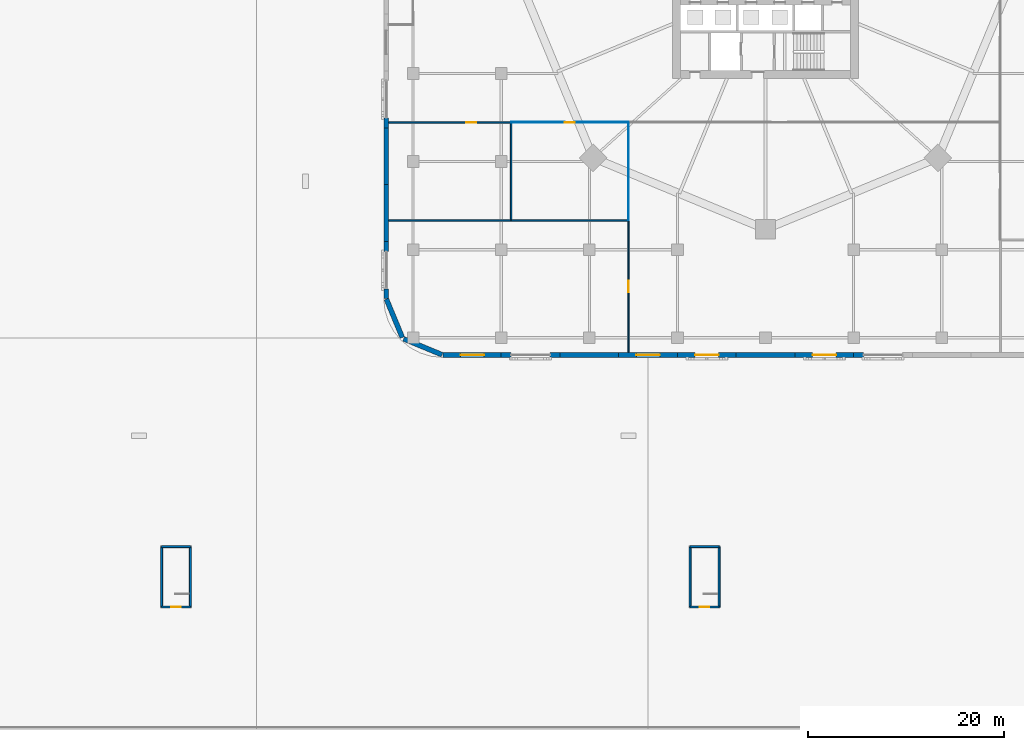
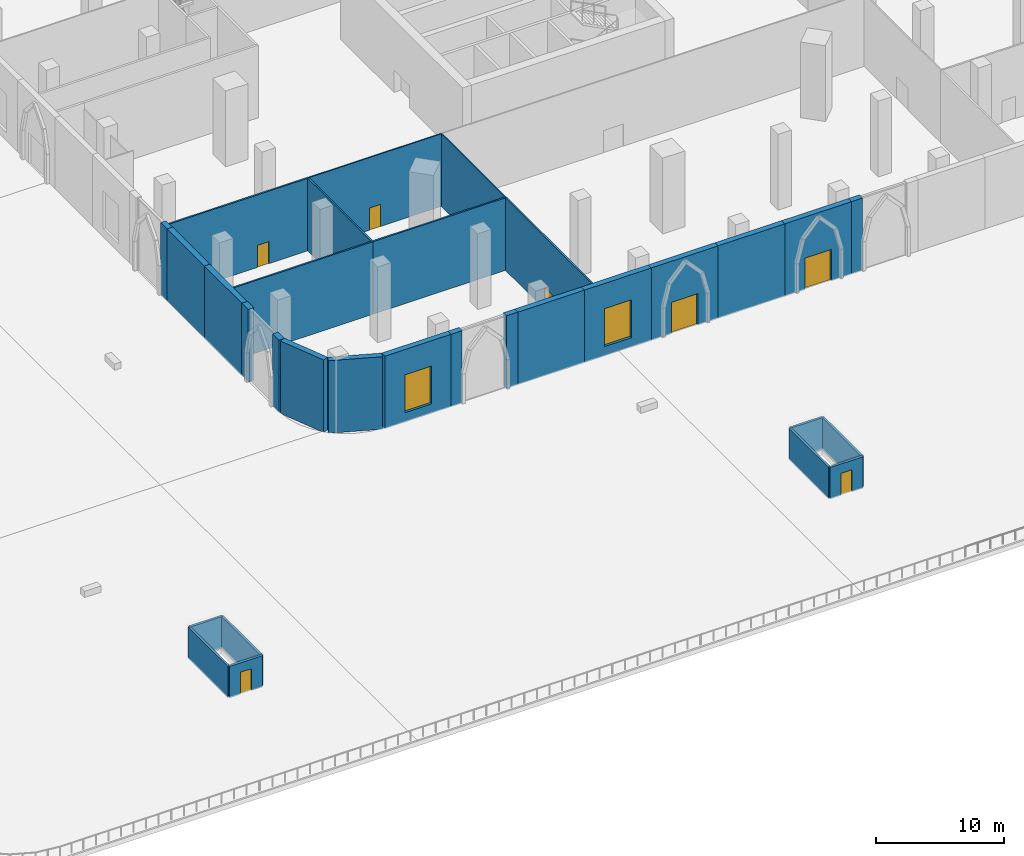
# One storey, part 22 of 48: 31 walls, 7 doors, 2 windows, 9 openings.
"""IFC4 building model written with IfcOpenShell, lengths in metres."""

from ifc_helpers import new_model, si_unit, direction, frame, frame_2d, origin, place, context, subcontext, project, spatial, rectangle, extrude, material, layer, layer_set, type_object, element, fill, save


model = new_model("IFC4")

# Units and contexts
model_context = context("Model", 3, precision=1e-05, world=origin(), true_north=direction((0.0, 1.0)))
body_context = subcontext(model_context, "Body", "Model", "MODEL_VIEW")
ifc_project = project(units=[si_unit("LENGTHUNIT", "METRE"), si_unit("AREAUNIT", "SQUARE_METRE"), si_unit("VOLUMEUNIT", "CUBIC_METRE"), si_unit("PLANEANGLEUNIT", "RADIAN"), si_unit("MASSUNIT", "GRAM", prefix="KILO")], contexts=[model_context])

# Site, building, storey
site_placement = place(None, origin())
site = spatial("IfcSite", under=ifc_project, at=site_placement, CompositionType="ELEMENT")
building_placement = place(site_placement, origin())
building = spatial("IfcBuilding", under=site, at=building_placement, Name="Ogive Gate Towers", CompositionType="ELEMENT")
storey_placement = place(building_placement, origin())
storey = spatial("IfcBuildingStorey", under=building, at=storey_placement, Name="L00", CompositionType="ELEMENT", Elevation=0.0)

# Walls
ifc_material_1 = material(Name="Precast concrete C40/50", Category="concrete")
ifc_layer_1 = layer(ifc_material_1, 0.5)
ifc_layer_set_1 = layer_set([ifc_layer_1], Name="Arcade wall 500")
wall_type_1 = type_object("IfcWallType", Name="Arcade wall 500", PredefinedType="SOLIDWALL", material=ifc_layer_set_1)
wall_1_placement = place(storey_placement, frame((-74.75, -13.54541015625, 0.0), z_axis=(0.0, 0.0, 1.0), x_axis=(0.0, -1.0, 0.0)))
element("IfcWall", 1, at=wall_1_placement, inside=storey, type_object=wall_type_1, Name="Podium wall", PredefinedType="SOLIDWALL", context=body_context, shape_type="SweptSolid", body=[
    extrude(rectangle(XDim=1.0, YDim=0.5, at=frame_2d((0.5, 0.0))), origin(), (0.0, 0.0, 1.0), 6.89990234375),
])
wall_2_placement = place(storey_placement, frame((-74.75, -14.54541015625, 0.0), z_axis=(0.0, 0.0, 1.0), x_axis=(0.0, -1.0, 0.0)))
element("IfcWall", 2, at=wall_2_placement, inside=storey, type_object=wall_type_1, Name="Podium wall", PredefinedType="SOLIDWALL", context=body_context, shape_type="SweptSolid", body=[
    extrude(rectangle(XDim=5.818115234375, YDim=0.5, at=frame_2d((2.9091796875, 0.0))), origin(), (0.0, 0.0, 1.0), 6.89990234375),
])
wall_3_placement = place(storey_placement, frame((-74.75, -20.363525390625, 0.0), z_axis=(0.0, 0.0, 1.0), x_axis=(0.0, -1.0, 0.0)))
element("IfcWall", 3, at=wall_3_placement, inside=storey, type_object=wall_type_1, Name="Podium wall", PredefinedType="SOLIDWALL", context=body_context, shape_type="SweptSolid", body=[
    extrude(rectangle(XDim=5.818359375, YDim=0.5, at=frame_2d((2.9091796875, 0.0))), origin(), (0.0, 0.0, 1.0), 6.89990234375),
])
for number, where, z_axis, x_axis, name in (
    (4, (-74.75, -26.181884765625, 0.0), (0.0, 0.0, 1.0), (0.0, -1.0, 0.0), "Podium wall"),
    (5, (-74.75, -31.0, 0.0), (0.0, 0.0, 1.0), (0.0, -1.0, 0.0), "Podium wall"),
):
    element("IfcWall", number, at=place(storey_placement, frame(where, z_axis=z_axis, x_axis=x_axis)), inside=storey, type_object=wall_type_1, Name=name, PredefinedType="SOLIDWALL", context=body_context, shape_type="SweptSolid", body=[
        extrude(rectangle(XDim=1.0, YDim=0.5, at=frame_2d((0.5, 0.0))), origin(), (0.0, 0.0, 1.0), 6.89990234375),
    ])
for number, where, z_axis, x_axis, name in (
    (6, (-74.73095703125, -32.0458984375, 0.0), (0.0, 0.0, 1.0), (0.382680056994, -0.923880930628, 0.0), "Podium wall"),
    (7, (-72.97021484375, -36.10546875, 0.0), (0.0, 0.0, 1.0), (0.923880930628, -0.382680056994, 0.0), "Podium wall"),
):
    element("IfcWall", number, at=place(storey_placement, frame(where, z_axis=z_axis, x_axis=x_axis)), inside=storey, type_object=wall_type_1, Name=name, PredefinedType="SOLIDWALL", context=body_context, shape_type="SweptSolid", body=[
        extrude(rectangle(XDim=4.24755859375, YDim=0.5, at=frame_2d((2.123779296875, 0.0))), origin(), (0.0, 0.0, 1.0), 6.89990234375),
    ])

# Wall, opening, window
wall_4_placement = place(storey_placement, frame((-68.9501953125, -37.75, 0.0), z_axis=(0.0, 0.0, 1.0), x_axis=(1.0, 0.0, 0.0)))
wall_4 = element("IfcWall", 8, at=wall_4_placement, inside=storey, type_object=wall_type_1, Name="Podium wall", PredefinedType="SOLIDWALL", context=body_context, shape_type="SweptSolid", body=[
    extrude(rectangle(XDim=5.9501953125, YDim=0.5, at=frame_2d((2.97509765625, 0.0))), origin(), (0.0, 0.0, 1.0), 6.89990234375),
])
opening_1_placement = place(wall_4_placement, frame((1.800048828125, 0.0, 0.89990234375)))
opening_1 = element("IfcOpeningElement", 9, at=opening_1_placement, cuts=wall_4, Name="Opening WN4", PredefinedType="OPENING", context=body_context, shape_type="SweptSolid", body=[
    extrude(rectangle(XDim=2.39990234375, YDim=3.60009765625, at=frame_2d((1.199951171875, 1.800048828125))), frame((0.0, 0.260009765625, 0.0), z_axis=(0.0, -1.0, 0.0), x_axis=(1.0, 0.0, 0.0)), (0.0, 0.0, 1.0), 0.52001953125),
])
ifc_material_2 = material(Name="Clear glass", Category="glass")
window_type = type_object("IfcWindowType", Name="Arcade window 2400 x 3600", PartitioningType="SINGLE_PANEL", PredefinedType="WINDOW", material=ifc_material_2)
window_1_placement = place(opening_1_placement, origin())
window_1 = element("IfcWindow", 10, at=window_1_placement, inside=storey, type_object=window_type, Name="Podium window", OverallHeight=3.60009765625, OverallWidth=2.39990234375, PartitioningType="SINGLE_PANEL", PredefinedType="WINDOW", context=body_context, shape_type="SweptSolid", body=[
    extrude(rectangle(XDim=2.39990234375, YDim=3.60009765625, at=frame_2d((1.199951171875, 1.800048828125))), frame((0.0, 0.030029296875, 0.0), z_axis=(0.0, -1.0, 0.0), x_axis=(1.0, 0.0, 0.0)), (0.0, 0.0, 1.0), 0.06005859375),
])
fill(opening_1, window_1)

# Walls
for number, where, z_axis, x_axis, name in (
    (11, (-63.0, -37.75, 0.0), (0.0, 0.0, 1.0), (1.0, 0.0, 0.0), "Podium wall"),
    (12, (-58.0, -37.75, 0.0), (0.0, 0.0, 1.0), (1.0, 0.0, 0.0), "Podium wall"),
):
    element("IfcWall", number, at=place(storey_placement, frame(where, z_axis=z_axis, x_axis=x_axis)), inside=storey, type_object=wall_type_1, Name=name, PredefinedType="SOLIDWALL", context=body_context, shape_type="SweptSolid", body=[
        extrude(rectangle(XDim=1.0, YDim=0.5, at=frame_2d((0.5, 0.0))), origin(), (0.0, 0.0, 1.0), 6.89990234375),
    ])
wall_5_placement = place(storey_placement, frame((-57.0, -37.75, 0.0), z_axis=(0.0, 0.0, 1.0), x_axis=(1.0, 0.0, 0.0)))
element("IfcWall", 13, at=wall_5_placement, inside=storey, type_object=wall_type_1, Name="Podium wall", PredefinedType="SOLIDWALL", context=body_context, shape_type="SweptSolid", body=[
    extrude(rectangle(XDim=6.0, YDim=0.5, at=frame_2d((3.0, 0.0))), origin(), (0.0, 0.0, 1.0), 6.89990234375),
])

# Wall, opening, window
wall_6_placement = place(storey_placement, frame((-51.0, -37.75, 0.0), z_axis=(0.0, 0.0, 1.0), x_axis=(1.0, 0.0, 0.0)))
wall_6 = element("IfcWall", 14, at=wall_6_placement, inside=storey, type_object=wall_type_1, Name="Podium wall", PredefinedType="SOLIDWALL", context=body_context, shape_type="SweptSolid", body=[
    extrude(rectangle(XDim=6.0, YDim=0.5, at=frame_2d((3.0, 0.0))), origin(), (0.0, 0.0, 1.0), 6.89990234375),
])
opening_2_placement = place(wall_6_placement, frame((1.800048828125, 0.0, 0.89990234375)))
opening_2 = element("IfcOpeningElement", 15, at=opening_2_placement, cuts=wall_6, Name="Opening WN4", PredefinedType="OPENING", context=body_context, shape_type="SweptSolid", body=[
    extrude(rectangle(XDim=2.39990234375, YDim=3.60009765625, at=frame_2d((1.199951171875, 1.800048828125))), frame((0.0, 0.260009765625, 0.0), z_axis=(0.0, -1.0, 0.0), x_axis=(1.0, 0.0, 0.0)), (0.0, 0.0, 1.0), 0.52001953125),
])
window_2_placement = place(opening_2_placement, origin())
window_2 = element("IfcWindow", 16, at=window_2_placement, inside=storey, type_object=window_type, Name="Podium window", OverallHeight=3.60009765625, OverallWidth=2.39990234375, PartitioningType="SINGLE_PANEL", PredefinedType="WINDOW", context=body_context, shape_type="SweptSolid", body=[
    extrude(rectangle(XDim=2.39990234375, YDim=3.60009765625, at=frame_2d((1.199951171875, 1.800048828125))), frame((0.0, 0.030029296875, 0.0), z_axis=(0.0, -1.0, 0.0), x_axis=(1.0, 0.0, 0.0)), (0.0, 0.0, 1.0), 0.06005859375),
])
fill(opening_2, window_2)

# Wall, opening, door
wall_7_placement = place(storey_placement, frame((-45.0, -37.75, 0.0), z_axis=(0.0, 0.0, 1.0), x_axis=(1.0, 0.0, 0.0)))
wall_7 = element("IfcWall", 17, at=wall_7_placement, inside=storey, type_object=wall_type_1, Name="Podium wall", PredefinedType="SOLIDWALL", context=body_context, shape_type="SweptSolid", body=[
    extrude(rectangle(XDim=6.0, YDim=0.5, at=frame_2d((3.0, 0.0))), origin(), (0.0, 0.0, 1.0), 6.89990234375),
])
opening_3_placement = place(wall_7_placement, frame((1.800048828125, 0.0, 0.0)))
opening_3 = element("IfcOpeningElement", 18, at=opening_3_placement, cuts=wall_7, Name="Opening ED2-L00-14", PredefinedType="OPENING", context=body_context, shape_type="SweptSolid", body=[
    extrude(rectangle(XDim=2.39990234375, YDim=3.0, at=frame_2d((1.199951171875, 1.5))), frame((0.0, 0.260009765625, 0.0), z_axis=(0.0, -1.0, 0.0), x_axis=(1.0, 0.0, 0.0)), (0.0, 0.0, 1.0), 0.52001953125),
])
ifc_material_3 = material(Name="Pale metal aluminium", Category="aluminium")
door_type_1 = type_object("IfcDoorType", Name="Entrance door 2400 x 3000", OperationType="DOUBLE_DOOR_SINGLE_SWING", PredefinedType="DOOR", material=ifc_material_3)
door_1_placement = place(opening_3_placement, origin())
door_1 = element("IfcDoor", 19, at=door_1_placement, inside=storey, type_object=door_type_1, Name="Exterior door", OperationType="SINGLE_SWING_LEFT", OverallHeight=3.0, OverallWidth=2.39990234375, PredefinedType="DOOR", context=body_context, shape_type="SweptSolid", body=[
    extrude(rectangle(XDim=2.39990234375, YDim=3.0, at=frame_2d((1.199951171875, 1.5))), frame((0.0, 0.02490234375, 0.0), z_axis=(0.0, -1.0, 0.0), x_axis=(1.0, 0.0, 0.0)), (0.0, 0.0, 1.0), 0.050048828125),
])
fill(opening_3, door_1)

# Wall
wall_8_placement = place(storey_placement, frame((-39.0, -37.75, 0.0), z_axis=(0.0, 0.0, 1.0), x_axis=(1.0, 0.0, 0.0)))
element("IfcWall", 20, at=wall_8_placement, inside=storey, type_object=wall_type_1, Name="Podium wall", PredefinedType="SOLIDWALL", context=body_context, shape_type="SweptSolid", body=[
    extrude(rectangle(XDim=6.0, YDim=0.5, at=frame_2d((3.0, 0.0))), origin(), (0.0, 0.0, 1.0), 6.89990234375),
])

# Wall, opening, door
wall_9_placement = place(storey_placement, frame((-33.0, -37.75, 0.0), z_axis=(0.0, 0.0, 1.0), x_axis=(1.0, 0.0, 0.0)))
wall_9 = element("IfcWall", 21, at=wall_9_placement, inside=storey, type_object=wall_type_1, Name="Podium wall", PredefinedType="SOLIDWALL", context=body_context, shape_type="SweptSolid", body=[
    extrude(rectangle(XDim=6.0, YDim=0.5, at=frame_2d((3.0, 0.0))), origin(), (0.0, 0.0, 1.0), 6.89990234375),
])
opening_4_placement = place(wall_9_placement, frame((1.800048828125, 0.0, 0.0)))
opening_4 = element("IfcOpeningElement", 22, at=opening_4_placement, cuts=wall_9, Name="Opening ED2-L00-15", PredefinedType="OPENING", context=body_context, shape_type="SweptSolid", body=[
    extrude(rectangle(XDim=2.39990234375, YDim=3.0, at=frame_2d((1.199951171875, 1.5))), frame((0.0, 0.260009765625, 0.0), z_axis=(0.0, -1.0, 0.0), x_axis=(1.0, 0.0, 0.0)), (0.0, 0.0, 1.0), 0.52001953125),
])
door_2_placement = place(opening_4_placement, origin())
door_2 = element("IfcDoor", 23, at=door_2_placement, inside=storey, type_object=door_type_1, Name="Exterior door", OperationType="SINGLE_SWING_LEFT", OverallHeight=3.0, OverallWidth=2.39990234375, PredefinedType="DOOR", context=body_context, shape_type="SweptSolid", body=[
    extrude(rectangle(XDim=2.39990234375, YDim=3.0, at=frame_2d((1.199951171875, 1.5))), frame((0.0, 0.02490234375, 0.0), z_axis=(0.0, -1.0, 0.0), x_axis=(1.0, 0.0, 0.0)), (0.0, 0.0, 1.0), 0.050048828125),
])
fill(opening_4, door_2)

# Walls
wall_10_placement = place(storey_placement, frame((-27.0, -37.75, 0.0), z_axis=(0.0, 0.0, 1.0), x_axis=(1.0, 0.0, 0.0)))
element("IfcWall", 24, at=wall_10_placement, inside=storey, type_object=wall_type_1, Name="Podium wall", PredefinedType="SOLIDWALL", context=body_context, shape_type="SweptSolid", body=[
    extrude(rectangle(XDim=1.0, YDim=0.5, at=frame_2d((0.5, 0.0))), origin(), (0.0, 0.0, 1.0), 6.89990234375),
])
ifc_material_4 = material(Name="Gypsum board partition")
ifc_layer_2 = layer(ifc_material_4, 0.10009765625)
ifc_layer_set_2 = layer_set([ifc_layer_2], Name="Partition wall 100")
wall_type_2 = type_object("IfcWallType", Name="Partition wall 100", PredefinedType="PARTITIONING", material=ifc_layer_set_2)
wall_11_placement = place(storey_placement, frame((-50.0, -24.0, 0.0), z_axis=(0.0, 0.0, 1.0), x_axis=(0.0, 1.0, 0.0)))
element("IfcWall", 25, at=wall_11_placement, inside=storey, type_object=wall_type_2, Name="L00 partition 042", PredefinedType="PARTITIONING", context=body_context, shape_type="SweptSolid", body=[
    extrude(rectangle(XDim=9.949951171875, YDim=0.10009765625, at=frame_2d((4.97509765625, 0.0))), origin(), (0.0, 0.0, 1.0), 6.89990234375),
])

# Wall, opening, door
wall_12_placement = place(storey_placement, frame((-62.0, -14.0, 0.0), z_axis=(0.0, 0.0, 1.0), x_axis=(1.0, 0.0, 0.0)))
wall_12 = element("IfcWall", 26, at=wall_12_placement, inside=storey, type_object=wall_type_2, Name="L00 partition 043", PredefinedType="PARTITIONING", context=body_context, shape_type="SweptSolid", body=[
    extrude(rectangle(XDim=12.0, YDim=0.10009765625, at=frame_2d((6.0, 0.0))), origin(), (0.0, 0.0, 1.0), 6.89990234375),
])
opening_5_placement = place(wall_12_placement, frame((5.5, 0.0, 0.0)))
opening_5 = element("IfcOpeningElement", 27, at=opening_5_placement, cuts=wall_12, Name="Opening PO105", PredefinedType="OPENING", context=body_context, shape_type="SweptSolid", body=[
    extrude(rectangle(XDim=1.0, YDim=2.10009765625, at=frame_2d((0.5, 1.050048828125))), frame((0.0, 0.06005859375, 0.0), z_axis=(0.0, -1.0, 0.0), x_axis=(1.0, 0.0, 0.0)), (0.0, 0.0, 1.0), 0.1201171875),
])
ifc_material_5 = material(Name="Timber door", Category="wood")
door_type_2 = type_object("IfcDoorType", Name="Door 1000 x 2100", OperationType="NOTDEFINED", PredefinedType="DOOR", material=ifc_material_5)
door_3_placement = place(opening_5_placement, origin())
door_3 = element("IfcDoor", 28, at=door_3_placement, inside=storey, type_object=door_type_2, Name="Door PO105", OperationType="SINGLE_SWING_LEFT", OverallHeight=2.10009765625, OverallWidth=1.0, PredefinedType="DOOR", context=body_context, shape_type="SweptSolid", body=[
    extrude(rectangle(XDim=1.0, YDim=2.10009765625, at=frame_2d((0.5, 1.050048828125))), frame((0.0, 0.02490234375, 0.0), z_axis=(0.0, -1.0, 0.0), x_axis=(1.0, 0.0, 0.0)), (0.0, 0.0, 1.0), 0.050048828125),
])
fill(opening_5, door_3)

# Walls
ifc_material_6 = material(Name="Fire-rated gypsum board partition")
ifc_layer_3 = layer(ifc_material_6, 0.14990234375)
ifc_layer_set_3 = layer_set([ifc_layer_3], Name="Partition wall 150")
wall_type_3 = type_object("IfcWallType", Name="Partition wall 150", PredefinedType="PARTITIONING", material=ifc_layer_set_3)
wall_13_placement = place(storey_placement, frame((-62.0, -23.925048828125, 0.0), z_axis=(0.0, 0.0, 1.0), x_axis=(0.0, 1.0, 0.0)))
element("IfcWall", 29, at=wall_13_placement, inside=storey, type_object=wall_type_3, Name="L00 partition 038", PredefinedType="PARTITIONING", context=body_context, shape_type="SweptSolid", body=[
    extrude(rectangle(XDim=9.85009765625, YDim=0.14990234375, at=frame_2d((4.925048828125, 0.0))), origin(), (0.0, 0.0, 1.0), 6.89990234375),
])
wall_14_placement = place(storey_placement, frame((-74.5, -24.0, 0.0), z_axis=(0.0, 0.0, 1.0), x_axis=(1.0, 0.0, 0.0)))
element("IfcWall", 30, at=wall_14_placement, inside=storey, type_object=wall_type_3, Name="L00 partition 039", PredefinedType="PARTITIONING", context=body_context, shape_type="SweptSolid", body=[
    extrude(rectangle(XDim=12.5, YDim=0.14990234375, at=frame_2d((6.25, 0.0))), origin(), (0.0, 0.0, 1.0), 6.89990234375),
])

# Wall, opening, door
wall_15_placement = place(storey_placement, frame((-74.5, -14.0, 0.0), z_axis=(0.0, 0.0, 1.0), x_axis=(1.0, 0.0, 0.0)))
wall_15 = element("IfcWall", 31, at=wall_15_placement, inside=storey, type_object=wall_type_3, Name="L00 partition 040", PredefinedType="PARTITIONING", context=body_context, shape_type="SweptSolid", body=[
    extrude(rectangle(XDim=12.5, YDim=0.14990234375, at=frame_2d((6.25, 0.0))), origin(), (0.0, 0.0, 1.0), 6.89990234375),
])
opening_6_placement = place(wall_15_placement, frame((7.929931640625, 0.0, 0.0)))
opening_6 = element("IfcOpeningElement", 32, at=opening_6_placement, cuts=wall_15, Name="Opening PO104", PredefinedType="OPENING", context=body_context, shape_type="SweptSolid", body=[
    extrude(rectangle(XDim=1.0, YDim=2.10009765625, at=frame_2d((0.5, 1.050048828125))), frame((0.0, 0.0849609375, 0.0), z_axis=(0.0, -1.0, 0.0), x_axis=(1.0, 0.0, 0.0)), (0.0, 0.0, 1.0), 0.169921875),
])
ifc_material_7 = material(Name="Steel fire door", Category="steel")
door_type_3 = type_object("IfcDoorType", Name="Interior fire door FD120S 1000 x 2100", OperationType="NOTDEFINED", PredefinedType="DOOR", material=ifc_material_7)
door_4_placement = place(opening_6_placement, origin())
door_4 = element("IfcDoor", 33, at=door_4_placement, inside=storey, type_object=door_type_3, Name="Door PO104", OperationType="SINGLE_SWING_RIGHT", OverallHeight=2.10009765625, OverallWidth=1.0, PredefinedType="DOOR", context=body_context, shape_type="SweptSolid", body=[
    extrude(rectangle(XDim=1.0, YDim=2.10009765625, at=frame_2d((0.5, 1.050048828125))), frame((0.0, 0.02490234375, 0.0), z_axis=(0.0, -1.0, 0.0), x_axis=(1.0, 0.0, 0.0)), (0.0, 0.0, 1.0), 0.050048828125),
])
fill(opening_6, door_4)

# Wall
wall_16_placement = place(storey_placement, frame((-62.0, -24.0, 0.0), z_axis=(0.0, 0.0, 1.0), x_axis=(1.0, 0.0, 0.0)))
element("IfcWall", 34, at=wall_16_placement, inside=storey, type_object=wall_type_3, Name="L00 partition 041", PredefinedType="PARTITIONING", context=body_context, shape_type="SweptSolid", body=[
    extrude(rectangle(XDim=11.925048828125, YDim=0.14990234375, at=frame_2d((5.96240234375, 0.0))), origin(), (0.0, 0.0, 1.0), 6.89990234375),
])

# Wall, opening, door
wall_17_placement = place(storey_placement, frame((-50.0, -37.5, 0.0), z_axis=(0.0, 0.0, 1.0), x_axis=(0.0, 1.0, 0.0)))
wall_17 = element("IfcWall", 35, at=wall_17_placement, inside=storey, type_object=wall_type_3, Name="L00 partition 044", PredefinedType="PARTITIONING", context=body_context, shape_type="SweptSolid", body=[
    extrude(rectangle(XDim=13.5, YDim=0.14990234375, at=frame_2d((6.75, 0.0))), origin(), (0.0, 0.0, 1.0), 6.89990234375),
])
opening_7_placement = place(wall_17_placement, frame((6.14990234375, 0.0, 0.0)))
opening_7 = element("IfcOpeningElement", 36, at=opening_7_placement, cuts=wall_17, Name="Opening PO106", PredefinedType="OPENING", context=body_context, shape_type="SweptSolid", body=[
    extrude(rectangle(XDim=1.199951171875, YDim=2.10009765625, at=frame_2d((0.60009765625, 1.050048828125))), frame((0.0, 0.0849609375, 0.0), z_axis=(0.0, -1.0, 0.0), x_axis=(1.0, 0.0, 0.0)), (0.0, 0.0, 1.0), 0.169921875),
])
door_type_4 = type_object("IfcDoorType", Name="Interior fire door FD60S 1200 x 2100", OperationType="NOTDEFINED", PredefinedType="DOOR", material=ifc_material_7)
door_5_placement = place(opening_7_placement, origin())
door_5 = element("IfcDoor", 37, at=door_5_placement, inside=storey, type_object=door_type_4, Name="Door PO106", OperationType="SINGLE_SWING_RIGHT", OverallHeight=2.10009765625, OverallWidth=1.199951171875, PredefinedType="DOOR", context=body_context, shape_type="SweptSolid", body=[
    extrude(rectangle(XDim=1.199951171875, YDim=2.10009765625, at=frame_2d((0.60009765625, 1.050048828125))), frame((0.0, 0.02490234375, 0.0), z_axis=(0.0, -1.0, 0.0), x_axis=(1.0, 0.0, 0.0)), (0.0, 0.0, 1.0), 0.050048828125),
])
fill(opening_7, door_5)

ifc_material_8 = material(Name="Concrete C32/40", Category="concrete")
ifc_layer_4 = layer(ifc_material_8, 0.199951171875)
ifc_layer_set_4 = layer_set([ifc_layer_4], Name="Stair house wall 200")
wall_type_4 = type_object("IfcWallType", Name="Stair house wall 200", PredefinedType="SOLIDWALL", material=ifc_layer_set_4)
wall_18_placement = place(storey_placement, frame((-94.75, -63.5, 0.0), z_axis=(0.0, 0.0, 1.0), x_axis=(-1.0, 0.0, 0.0)))
wall_18 = element("IfcWall", 38, at=wall_18_placement, inside=storey, type_object=wall_type_4, Name="CS5 stair house wall 1", PredefinedType="SOLIDWALL", context=body_context, shape_type="SweptSolid", body=[
    extrude(rectangle(XDim=2.949951171875, YDim=0.199951171875, at=frame_2d((1.47509765625, 0.0))), origin(), (0.0, 0.0, 1.0), 3.0),
])
opening_8_placement = place(wall_18_placement, frame((0.97509765625, 0.0, 0.0)))
opening_8 = element("IfcOpeningElement", 39, at=opening_8_placement, cuts=wall_18, Name="Opening CPD35-L00", PredefinedType="OPENING", context=body_context, shape_type="SweptSolid", body=[
    extrude(rectangle(XDim=1.0, YDim=2.10009765625, at=frame_2d((0.5, 1.050048828125))), frame((0.0, 0.10986328125, 0.0), z_axis=(0.0, -1.0, 0.0), x_axis=(1.0, 0.0, 0.0)), (0.0, 0.0, 1.0), 0.219970703125),
])
ifc_material_9 = material(Name="Painted steel door", Category="steel")
door_type_5 = type_object("IfcDoorType", Name="Stair house door 1000 x 2100", OperationType="SINGLE_SWING_LEFT", PredefinedType="DOOR", material=ifc_material_9)
door_6_placement = place(opening_8_placement, origin())
door_6 = element("IfcDoor", 40, at=door_6_placement, inside=storey, type_object=door_type_5, Name="Door CS5 discharge", OperationType="SINGLE_SWING_LEFT", OverallHeight=2.10009765625, OverallWidth=1.0, PredefinedType="DOOR", context=body_context, shape_type="SweptSolid", body=[
    extrude(rectangle(XDim=1.0, YDim=2.10009765625, at=frame_2d((0.5, 1.050048828125))), frame((0.0, 0.02490234375, 0.0), z_axis=(0.0, -1.0, 0.0), x_axis=(1.0, 0.0, 0.0)), (0.0, 0.0, 1.0), 0.050048828125),
])
fill(opening_8, door_6)

# Walls
wall_19_placement = place(storey_placement, frame((-97.699951171875, -63.5, 0.0), z_axis=(0.0, 0.0, 1.0), x_axis=(0.0, 1.0, 0.0)))
element("IfcWall", 41, at=wall_19_placement, inside=storey, type_object=wall_type_4, Name="CS5 stair house wall 2", PredefinedType="SOLIDWALL", context=body_context, shape_type="SweptSolid", body=[
    extrude(rectangle(XDim=6.159912109375, YDim=0.199951171875, at=frame_2d((3.080078125, 0.0))), origin(), (0.0, 0.0, 1.0), 3.0),
])
wall_20_placement = place(storey_placement, frame((-97.699951171875, -57.340087890625, 0.0), z_axis=(0.0, 0.0, 1.0), x_axis=(1.0, 0.0, 0.0)))
element("IfcWall", 42, at=wall_20_placement, inside=storey, type_object=wall_type_4, Name="CS5 stair house wall 3", PredefinedType="SOLIDWALL", context=body_context, shape_type="SweptSolid", body=[
    extrude(rectangle(XDim=2.949951171875, YDim=0.199951171875, at=frame_2d((1.47509765625, 0.0))), origin(), (0.0, 0.0, 1.0), 3.0),
])
wall_21_placement = place(storey_placement, frame((-94.75, -57.340087890625, 0.0), z_axis=(0.0, 0.0, 1.0), x_axis=(0.0, -1.0, 0.0)))
element("IfcWall", 43, at=wall_21_placement, inside=storey, type_object=wall_type_4, Name="CS5 stair house wall 4", PredefinedType="SOLIDWALL", context=body_context, shape_type="SweptSolid", body=[
    extrude(rectangle(XDim=6.159912109375, YDim=0.199951171875, at=frame_2d((3.080078125, 0.0))), origin(), (0.0, 0.0, 1.0), 3.0),
])

# Wall, opening, door
wall_22_placement = place(storey_placement, frame((-40.75, -63.5, 0.0), z_axis=(0.0, 0.0, 1.0), x_axis=(-1.0, 0.0, 0.0)))
wall_22 = element("IfcWall", 44, at=wall_22_placement, inside=storey, type_object=wall_type_4, Name="CS6 stair house wall 1", PredefinedType="SOLIDWALL", context=body_context, shape_type="SweptSolid", body=[
    extrude(rectangle(XDim=2.949951171875, YDim=0.199951171875, at=frame_2d((1.47509765625, 0.0))), origin(), (0.0, 0.0, 1.0), 3.0),
])
opening_9_placement = place(wall_22_placement, frame((0.97509765625, 0.0, 0.0)))
opening_9 = element("IfcOpeningElement", 45, at=opening_9_placement, cuts=wall_22, Name="Opening CPD36-L00", PredefinedType="OPENING", context=body_context, shape_type="SweptSolid", body=[
    extrude(rectangle(XDim=1.0, YDim=2.10009765625, at=frame_2d((0.5, 1.050048828125))), frame((0.0, 0.10986328125, 0.0), z_axis=(0.0, -1.0, 0.0), x_axis=(1.0, 0.0, 0.0)), (0.0, 0.0, 1.0), 0.219970703125),
])
door_7_placement = place(opening_9_placement, origin())
door_7 = element("IfcDoor", 46, at=door_7_placement, inside=storey, type_object=door_type_5, Name="Door CS6 discharge", OperationType="SINGLE_SWING_LEFT", OverallHeight=2.10009765625, OverallWidth=1.0, PredefinedType="DOOR", context=body_context, shape_type="SweptSolid", body=[
    extrude(rectangle(XDim=1.0, YDim=2.10009765625, at=frame_2d((0.5, 1.050048828125))), frame((0.0, 0.02490234375, 0.0), z_axis=(0.0, -1.0, 0.0), x_axis=(1.0, 0.0, 0.0)), (0.0, 0.0, 1.0), 0.050048828125),
])
fill(opening_9, door_7)

# Walls
wall_23_placement = place(storey_placement, frame((-43.699951171875, -63.5, 0.0), z_axis=(0.0, 0.0, 1.0), x_axis=(0.0, 1.0, 0.0)))
element("IfcWall", 47, at=wall_23_placement, inside=storey, type_object=wall_type_4, Name="CS6 stair house wall 2", PredefinedType="SOLIDWALL", context=body_context, shape_type="SweptSolid", body=[
    extrude(rectangle(XDim=6.159912109375, YDim=0.199951171875, at=frame_2d((3.080078125, 0.0))), origin(), (0.0, 0.0, 1.0), 3.0),
])
wall_24_placement = place(storey_placement, frame((-43.699951171875, -57.340087890625, 0.0), z_axis=(0.0, 0.0, 1.0), x_axis=(1.0, 0.0, 0.0)))
element("IfcWall", 48, at=wall_24_placement, inside=storey, type_object=wall_type_4, Name="CS6 stair house wall 3", PredefinedType="SOLIDWALL", context=body_context, shape_type="SweptSolid", body=[
    extrude(rectangle(XDim=2.949951171875, YDim=0.199951171875, at=frame_2d((1.47509765625, 0.0))), origin(), (0.0, 0.0, 1.0), 3.0),
])
wall_25_placement = place(storey_placement, frame((-40.75, -57.340087890625, 0.0), z_axis=(0.0, 0.0, 1.0), x_axis=(0.0, -1.0, 0.0)))
element("IfcWall", 49, at=wall_25_placement, inside=storey, type_object=wall_type_4, Name="CS6 stair house wall 4", PredefinedType="SOLIDWALL", context=body_context, shape_type="SweptSolid", body=[
    extrude(rectangle(XDim=6.159912109375, YDim=0.199951171875, at=frame_2d((3.080078125, 0.0))), origin(), (0.0, 0.0, 1.0), 3.0),
])

save(model, "model.ifc")
